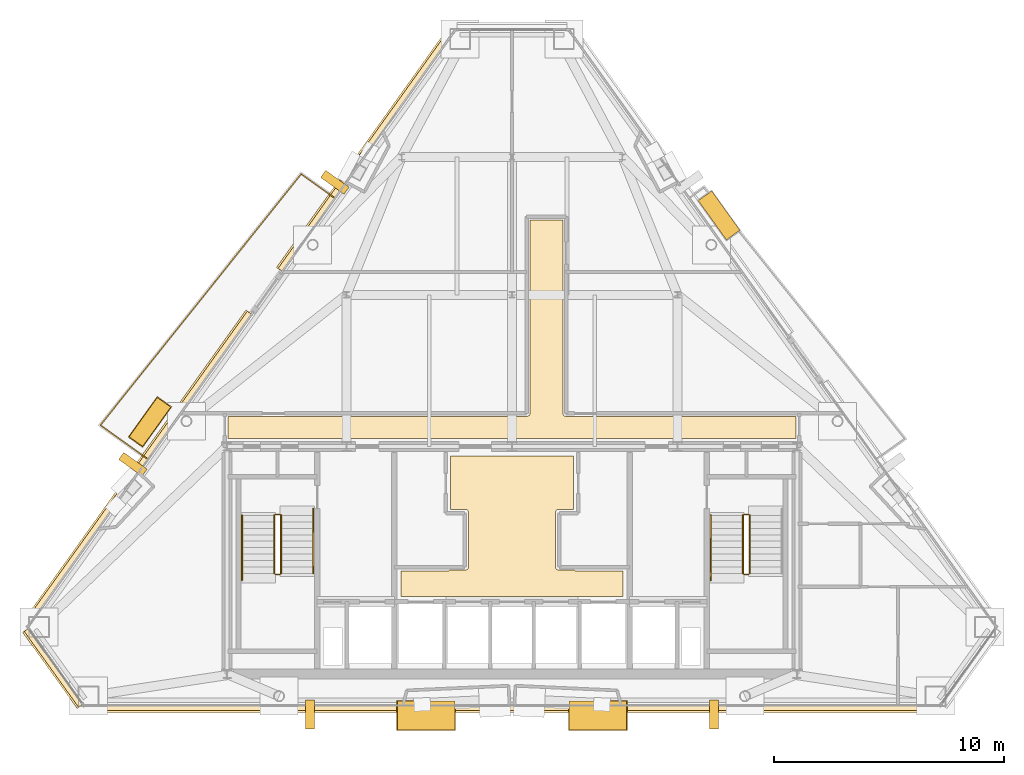
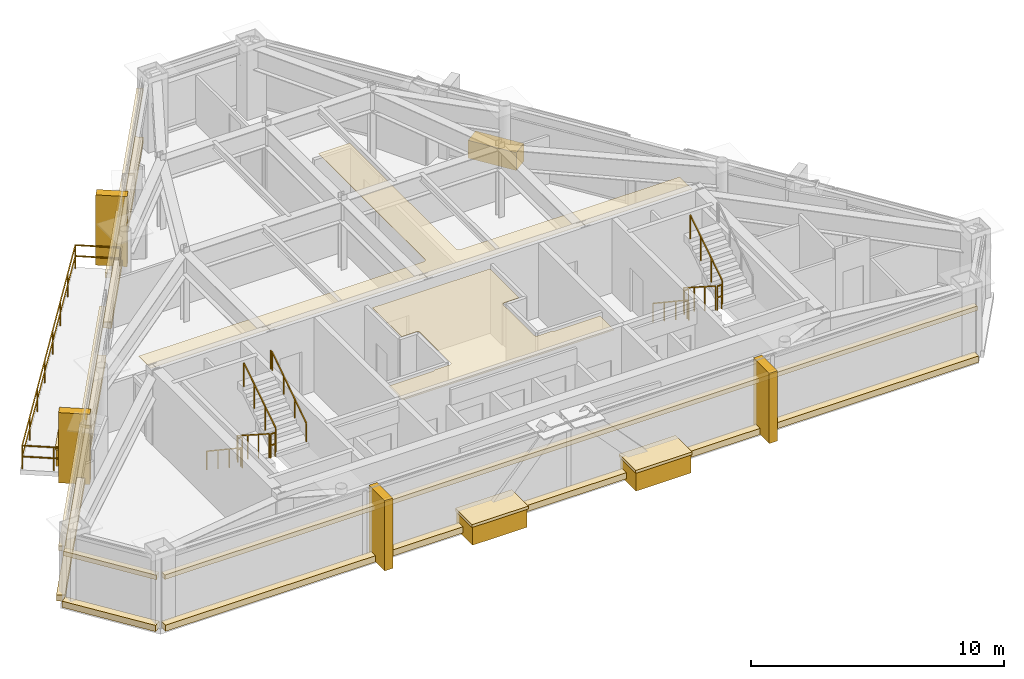
# One storey, part 11 of 12: 21 coverings, 12 railings.
"""IFC4 building model written with IfcOpenShell, lengths in metres."""

from ifc_helpers import new_model, si_unit, direction, frame, origin, origin_2d, place, context, subcontext, project, spatial, polyline, rectangle, outline, extrude, material, layer, layer_set, type_object, element, save


model = new_model("IFC4")

# Units and contexts
model_context = context("Model", 3, precision=1e-05, world=origin(), true_north=direction((0.0, 1.0)))
body_context = subcontext(model_context, "Body", "Model", "MODEL_VIEW")
ifc_project = project(units=[si_unit("LENGTHUNIT", "METRE"), si_unit("AREAUNIT", "SQUARE_METRE"), si_unit("VOLUMEUNIT", "CUBIC_METRE"), si_unit("PLANEANGLEUNIT", "RADIAN"), si_unit("MASSUNIT", "GRAM", prefix="KILO")], contexts=[model_context])

# Site, building, storey
site_placement = place(None, origin())
site = spatial("IfcSite", under=ifc_project, at=site_placement, CompositionType="ELEMENT")
building_placement = place(site_placement, origin())
building = spatial("IfcBuilding", under=site, at=building_placement, Name="Talgorran Terracotta Tower", CompositionType="ELEMENT")
storey_placement = place(building_placement, frame((0.0, 0.0, 259.800048828125)))
storey = spatial("IfcBuildingStorey", under=building, at=storey_placement, Name="L68", CompositionType="ELEMENT", Elevation=259.800048828125)

# Coverings
ifc_material_1 = material(Name="Kiln-Fired Terracotta Ochre Ceramic", Category="masonry")
ifc_layer_1 = layer(ifc_material_1, 0.179931640625, Name="COV_BAGUETTE_TERRACOTTA_SCREEN")
ifc_layer_set_1 = layer_set([ifc_layer_1], Name="Kiln-Fired Terracotta Ochre Ceramic")
covering_type_1 = type_object("IfcCoveringType", Name="COV_BAGUETTE_TERRACOTTA_SCREEN", PredefinedType="CLADDING", material=ifc_layer_set_1)
covering_1_placement = place(storey_placement, frame((-19.938720703125, -13.818115234375, 2.41015625), z_axis=(0.0, 0.0, 1.0), x_axis=(0.582222304811, -0.813029635242, 0.0)))
element("IfcCovering", 1, at=covering_1_placement, inside=storey, type_object=covering_type_1, Name="L68 Terracotta Baguette Solar Screen Assembly F0", PredefinedType="CLADDING", context=body_context, shape_type="SweptSolid", body=[
    extrude(rectangle(XDim=4.050048828125, YDim=0.260009765625, at=origin_2d()), origin(), (0.0, 0.0, 1.0), 0.219970703125),
])
covering_2_placement = place(storey_placement, frame((0.0, -15.563232421875, 2.41015625), z_axis=(0.0, 0.0, 1.0), x_axis=(1.0, 0.0, 0.0)))
element("IfcCovering", 2, at=covering_2_placement, inside=storey, type_object=covering_type_1, Name="L68 Terracotta Baguette Solar Screen Assembly F1", PredefinedType="CLADDING", context=body_context, shape_type="SweptSolid", body=[
    extrude(rectangle(XDim=37.13525390625, YDim=0.260009765625, at=origin_2d()), origin(), (0.0, 0.0, 1.0), 0.219970703125),
])
covering_3_placement = place(storey_placement, frame((-6.341552734375, 8.693115234375, 2.41015625), z_axis=(0.0, 0.0, 1.0), x_axis=(-0.582208114678, -0.813039796814, 0.0)))
element("IfcCovering", 3, at=covering_3_placement, inside=storey, type_object=covering_type_1, Name="L68 Terracotta Baguette Solar Screen Assembly F60", PredefinedType="CLADDING", context=body_context, shape_type="SweptSolid", body=[
    extrude(rectangle(XDim=12.822021484375, YDim=0.260009765625, at=origin_2d()), origin(), (0.0, 0.0, 1.0), 0.219970703125),
])
covering_4_placement = place(storey_placement, frame((-16.253662109375, -5.149169921875, 2.41015625), z_axis=(0.0, 0.0, 1.0), x_axis=(-0.582208114678, -0.813039796814, 0.0)))
element("IfcCovering", 4, at=covering_4_placement, inside=storey, type_object=covering_type_1, Name="L68 Terracotta Baguette Solar Screen Assembly F61", PredefinedType="CLADDING", context=body_context, shape_type="SweptSolid", body=[
    extrude(rectangle(XDim=16.628662109375, YDim=0.260009765625, at=origin_2d()), origin(), (0.0, 0.0, 1.0), 0.219970703125),
])
ifc_material_2 = material(Name="Mineral Fibre Acoustic Tile")
ifc_layer_2 = layer(ifc_material_2, 0.02490234375, Name="COV_CEIL_ACOUSTIC")
ifc_layer_set_2 = layer_set([ifc_layer_2], Name="Mineral Fibre Acoustic Tile")
covering_type_2 = type_object("IfcCoveringType", Name="COV_CEIL_ACOUSTIC", PredefinedType="CEILING", material=ifc_layer_set_2)
covering_5_placement = place(storey_placement, frame((0.0, 0.0, 3.2548828125)))
element("IfcCovering", 5, at=covering_5_placement, inside=storey, type_object=covering_type_2, Name="CEIL-L68-2", PredefinedType="CEILING", context=body_context, shape_type="SweptSolid", body=[
    extrude(outline(polyline([(-12.364990234375, -2.885009765625), (0.64990234375, -2.885009765625), (0.66162109375, -2.884521484375), (0.67333984375, -2.8828125), (0.6845703125, -2.8798828125), (0.69287109375, -2.87744140625), (0.7041015625, -2.87353515625), (0.714599609375, -2.868408203125), (0.724853515625, -2.8623046875), (0.734375, -2.85546875), (0.742919921875, -2.847412109375), (0.7509765625, -2.8388671875), (0.756591796875, -2.83203125), (0.763671875, -2.822509765625), (0.769775390625, -2.8125), (0.774658203125, -2.8017578125), (0.77880859375, -2.79052734375), (0.781494140625, -2.779296875), (0.783203125, -2.767578125), (0.783935546875, -2.755615234375), (0.784912109375, 5.6650390625), (2.215087890625, 5.6650390625), (2.215087890625, -2.75), (2.215576171875, -2.76171875), (2.21728515625, -2.773193359375), (2.22021484375, -2.78466796875), (2.22265625, -2.79296875), (2.2265625, -2.803955078125), (2.231689453125, -2.814697265625), (2.237548828125, -2.82470703125), (2.24462890625, -2.834228515625), (2.25244140625, -2.843017578125), (2.26123046875, -2.850830078125), (2.26806640625, -2.8564453125), (2.277587890625, -2.863525390625), (2.28759765625, -2.86962890625), (2.29833984375, -2.874755859375), (2.309326171875, -2.878662109375), (2.32080078125, -2.881591796875), (2.33251953125, -2.88330078125), (2.34423828125, -2.8837890625), (12.364990234375, -2.885009765625), (12.364990234375, -3.844970703125), (7.432861328125, -3.844970703125), (6.968017578125, -3.843017578125), (6.967529296875, -3.843017578125), (0.232666015625, -3.844970703125), (-0.23193359375, -3.843017578125), (-0.232421875, -3.843017578125), (-6.96728515625, -3.844970703125), (-7.431884765625, -3.843017578125), (-7.4326171875, -3.843017578125), (-12.364990234375, -3.844970703125), (-12.364990234375, -2.885009765625)])), origin(), (0.0, 0.0, 1.0), 0.02001953125),
])
ifc_material_3 = material(Name="Flush Moisture-Resistant Plaster")
ifc_layer_3 = layer(ifc_material_3, 0.01806640625, Name="COV_CEIL_PLASTER")
ifc_layer_set_3 = layer_set([ifc_layer_3], Name="Flush Moisture-Resistant Plaster")
covering_type_3 = type_object("IfcCoveringType", Name="COV_CEIL_PLASTER", PredefinedType="CEILING", material=ifc_layer_set_3)
covering_6_placement = place(storey_placement, frame((0.0, 0.0, 3.2548828125)))
element("IfcCovering", 6, at=covering_6_placement, inside=storey, type_object=covering_type_3, Name="CEIL-L68-1", PredefinedType="CEILING", context=body_context, shape_type="SweptSolid", body=[
    extrude(outline(polyline([(-2.70263671875, -9.570068359375), (-2.02001953125, -9.570068359375), (-2.00830078125, -9.5693359375), (-1.99658203125, -9.567626953125), (-1.985107421875, -9.564697265625), (-1.97412109375, -9.560791015625), (-1.96337890625, -9.555908203125), (-1.953369140625, -9.5498046875), (-1.94384765625, -9.542724609375), (-1.93505859375, -9.534912109375), (-1.92724609375, -9.526123046875), (-1.920166015625, -9.5166015625), (-1.914306640625, -9.506591796875), (-1.9091796875, -9.495849609375), (-1.9052734375, -9.48486328125), (-1.90234375, -9.473388671875), (-1.900634765625, -9.4619140625), (-1.89990234375, -9.449951171875), (-1.89990234375, -7.050048828125), (-1.900634765625, -7.0380859375), (-1.90234375, -7.026611328125), (-1.9052734375, -7.01513671875), (-1.9091796875, -7.004150390625), (-1.914306640625, -6.993408203125), (-1.920166015625, -6.9833984375), (-1.92724609375, -6.973876953125), (-1.93505859375, -6.965087890625), (-1.94384765625, -6.957275390625), (-1.953369140625, -6.9501953125), (-1.96337890625, -6.944091796875), (-1.97412109375, -6.939208984375), (-1.985107421875, -6.935302734375), (-1.99658203125, -6.932373046875), (-2.00830078125, -6.9306640625), (-2.02001953125, -6.929931640625), (-2.679931640625, -6.929931640625), (-2.679931640625, -4.6201171875), (2.679931640625, -4.6201171875), (2.679931640625, -6.929931640625), (2.02001953125, -6.929931640625), (2.00830078125, -6.9306640625), (1.99658203125, -6.932373046875), (1.985107421875, -6.935302734375), (1.97412109375, -6.939208984375), (1.96337890625, -6.944091796875), (1.953369140625, -6.9501953125), (1.94384765625, -6.957275390625), (1.93505859375, -6.965087890625), (1.92724609375, -6.973876953125), (1.920166015625, -6.9833984375), (1.914306640625, -6.993408203125), (1.9091796875, -7.004150390625), (1.9052734375, -7.01513671875), (1.90234375, -7.026611328125), (1.900634765625, -7.0380859375), (1.89990234375, -7.050048828125), (1.89990234375, -9.449951171875), (1.900634765625, -9.4619140625), (1.90234375, -9.473388671875), (1.9052734375, -9.48486328125), (1.9091796875, -9.495849609375), (1.914306640625, -9.506591796875), (1.920166015625, -9.5166015625), (1.92724609375, -9.526123046875), (1.93505859375, -9.534912109375), (1.94384765625, -9.542724609375), (1.953369140625, -9.5498046875), (1.96337890625, -9.555908203125), (1.97412109375, -9.560791015625), (1.985107421875, -9.564697265625), (1.99658203125, -9.567626953125), (2.00830078125, -9.5693359375), (2.02001953125, -9.570068359375), (2.70263671875, -9.570068359375), (2.707275390625, -9.576171875), (2.715087890625, -9.5849609375), (2.723876953125, -9.5927734375), (2.7333984375, -9.599853515625), (2.743408203125, -9.605712890625), (2.754150390625, -9.61083984375), (2.76513671875, -9.61474609375), (2.776611328125, -9.61767578125), (2.7880859375, -9.619384765625), (2.800048828125, -9.6201171875), (4.830078125, -9.6201171875), (4.830078125, -10.72998046875), (-4.830078125, -10.72998046875), (-4.830078125, -9.6201171875), (-2.800048828125, -9.6201171875), (-2.7880859375, -9.619384765625), (-2.776611328125, -9.61767578125), (-2.76513671875, -9.61474609375), (-2.754150390625, -9.61083984375), (-2.743408203125, -9.605712890625), (-2.7333984375, -9.599853515625), (-2.723876953125, -9.5927734375), (-2.715087890625, -9.5849609375), (-2.707275390625, -9.576171875), (-2.70263671875, -9.570068359375)])), origin(), (0.0, 0.0, 1.0), 0.02001953125),
])
ifc_material_4 = material(Name="Honed Limestone and Terracotta Planter", Category="masonry")
ifc_layer_4 = layer(ifc_material_4, 0.1201171875, Name="COV_PLANTER_BOX")
ifc_layer_set_4 = layer_set([ifc_layer_4], Name="Honed Limestone and Terracotta Planter")
covering_type_4 = type_object("IfcCoveringType", Name="COV_PLANTER_BOX", PredefinedType="CLADDING", material=ifc_layer_set_4)
for number, where, z_axis, x_axis, name in (
    (7, (-3.739990234375, -15.9033203125, -0.179931640625), (0.0, 0.0, 1.0), (1.0, 0.0, 0.0), "L68 Staggered South Facade Planter Box 1"),
    (8, (3.739990234375, -15.9033203125, -0.179931640625), (0.0, 0.0, 1.0), (1.0, 0.0, 0.0), "L68 Staggered South Facade Planter Box 2"),
):
    element("IfcCovering", number, at=place(storey_placement, frame(where, z_axis=z_axis, x_axis=x_axis)), inside=storey, type_object=covering_type_4, Name=name, PredefinedType="CLADDING", context=body_context, shape_type="SweptSolid", body=[
        extrude(rectangle(XDim=2.5, YDim=1.25, at=origin_2d()), origin(), (0.0, 0.0, 1.0), 0.919921875),
    ])
for number, where, z_axis, x_axis, name in (
    (9, (9.010986328125, 5.856689453125, -0.02001953125), (0.0, 0.0, 1.0), (-0.582208114678, 0.813039796814, 0.0), "L68 Staggered Balcony Planter Box BAL-NE"),
    (10, (-15.75439453125, -3.12939453125, -0.02001953125), (0.0, 0.0, 1.0), (-0.582208114678, -0.813039796814, 0.0), "L68 Staggered Balcony Planter Box BAL-NW"),
):
    element("IfcCovering", number, at=place(storey_placement, frame(where, z_axis=z_axis, x_axis=x_axis)), inside=storey, type_object=covering_type_4, Name=name, PredefinedType="CLADDING", context=body_context, shape_type="SweptSolid", body=[
        extrude(rectangle(XDim=2.10009765625, YDim=0.719970703125, at=origin_2d()), origin(), (0.0, 0.0, 1.0), 0.860107421875),
    ])
ifc_material_5 = material(Name="Kiln-Fired Terracotta Planter Rim", Category="masonry")
ifc_layer_5 = layer(ifc_material_5, 0.10009765625, Name="COV_PLANTER_RIM")
ifc_layer_set_5 = layer_set([ifc_layer_5], Name="Kiln-Fired Terracotta Planter Rim")
covering_type_5 = type_object("IfcCoveringType", Name="COV_PLANTER_RIM", PredefinedType="CLADDING", material=ifc_layer_set_5)
for number, where, z_axis, x_axis, name in (
    (11, (-3.739990234375, -15.9033203125, 0.7099609375), (0.0, 0.0, 1.0), (1.0, 0.0, 0.0), "L68 South Planter Terracotta Rim 1"),
    (12, (3.739990234375, -15.9033203125, 0.7099609375), (0.0, 0.0, 1.0), (1.0, 0.0, 0.0), "L68 South Planter Terracotta Rim 2"),
):
    element("IfcCovering", number, at=place(storey_placement, frame(where, z_axis=z_axis, x_axis=x_axis)), inside=storey, type_object=covering_type_5, Name=name, PredefinedType="CLADDING", context=body_context, shape_type="SweptSolid", body=[
        extrude(rectangle(XDim=2.580078125, YDim=1.320068359375, at=origin_2d()), origin(), (0.0, 0.0, 1.0), 0.139892578125),
    ])
covering_7_placement = place(storey_placement, frame((-15.75439453125, -3.12939453125, 0.7998046875), z_axis=(0.0, 0.0, 1.0), x_axis=(-0.582208114678, -0.813039796814, 0.0)))
element("IfcCovering", 13, at=covering_7_placement, inside=storey, type_object=covering_type_5, Name="L68 Balcony Planter Terracotta Rim BAL-NW", PredefinedType="CLADDING", context=body_context, shape_type="SweptSolid", body=[
    extrude(rectangle(XDim=2.179931640625, YDim=0.780029296875, at=origin_2d()), origin(), (0.0, 0.0, 1.0), 0.1201171875),
])
ifc_material_6 = material(Name="Honed Limestone Cladding", Category="masonry")
ifc_layer_6 = layer(ifc_material_6, 0.094970703125, Name="COV_PORTAL_LIME")
ifc_layer_set_6 = layer_set([ifc_layer_6], Name="Honed Limestone Cladding")
covering_type_6 = type_object("IfcCoveringType", Name="COV_PORTAL_LIME", PredefinedType="CLADDING", material=ifc_layer_set_6)
covering_8_placement = place(storey_placement, frame((-19.97119140625, -13.841552734375, -0.0400390625), z_axis=(0.0, 0.0, 1.0), x_axis=(0.582222304811, -0.813029635242, 0.0)))
element("IfcCovering", 14, at=covering_8_placement, inside=storey, type_object=covering_type_6, Name="L68 Striped Postmodern Portal Cladding Band F0", PredefinedType="CLADDING", context=body_context, shape_type="SweptSolid", body=[
    extrude(rectangle(XDim=4.070068359375, YDim=0.340087890625, at=origin_2d()), origin(), (0.0, 0.0, 1.0), 0.300048828125),
])
covering_9_placement = place(storey_placement, frame((0.0, -15.603271484375, -0.0400390625), z_axis=(0.0, 0.0, 1.0), x_axis=(1.0, 0.0, 0.0)))
element("IfcCovering", 15, at=covering_9_placement, inside=storey, type_object=covering_type_6, Name="L68 Striped Postmodern Portal Cladding Band F1", PredefinedType="CLADDING", context=body_context, shape_type="SweptSolid", body=[
    extrude(rectangle(XDim=37.1552734375, YDim=0.340087890625, at=origin_2d()), origin(), (0.0, 0.0, 1.0), 0.300048828125),
])
covering_10_placement = place(storey_placement, frame((-6.3740234375, 8.71630859375, -0.0400390625), z_axis=(0.0, 0.0, 1.0), x_axis=(-0.582208114678, -0.813039796814, 0.0)))
element("IfcCovering", 16, at=covering_10_placement, inside=storey, type_object=covering_type_6, Name="L68 Striped Postmodern Portal Cladding Band F60", PredefinedType="CLADDING", context=body_context, shape_type="SweptSolid", body=[
    extrude(rectangle(XDim=12.842041015625, YDim=0.340087890625, at=origin_2d()), origin(), (0.0, 0.0, 1.0), 0.300048828125),
])
covering_11_placement = place(storey_placement, frame((-16.2861328125, -5.1259765625, -0.0400390625), z_axis=(0.0, 0.0, 1.0), x_axis=(-0.582208114678, -0.813039796814, 0.0)))
element("IfcCovering", 17, at=covering_11_placement, inside=storey, type_object=covering_type_6, Name="L68 Striped Postmodern Portal Cladding Band F61", PredefinedType="CLADDING", context=body_context, shape_type="SweptSolid", body=[
    extrude(rectangle(XDim=16.648681640625, YDim=0.340087890625, at=origin_2d()), origin(), (0.0, 0.0, 1.0), 0.300048828125),
])
for number, where, z_axis, x_axis, name in (
    (18, (8.788818359375, -15.86328125, -0.050048828125), (0.0, 0.0, 1.0), (1.0, 0.0, 0.0), "L68 White Striped Portal Fin F1-2"),
    (19, (-16.4970703125, -4.9736328125, -0.050048828125), (0.0, 0.0, 1.0), (-0.582208114678, -0.813039796814, 0.0), "L68 White Striped Portal Fin F5-2"),
):
    element("IfcCovering", number, at=place(storey_placement, frame(where, z_axis=z_axis, x_axis=x_axis)), inside=storey, type_object=covering_type_6, Name=name, PredefinedType="CLADDING", context=body_context, shape_type="SweptSolid", body=[
        extrude(rectangle(XDim=0.3798828125, YDim=1.25, at=origin_2d()), origin(), (0.0, 0.0, 1.0), 3.39501953125),
    ])
ifc_material_7 = material(Name="Kiln-Fired Terracotta Cladding", Category="masonry")
ifc_layer_7 = layer(ifc_material_7, 0.090087890625, Name="COV_PORTAL_TERRA")
ifc_layer_set_7 = layer_set([ifc_layer_7], Name="Kiln-Fired Terracotta Cladding")
covering_type_7 = type_object("IfcCoveringType", Name="COV_PORTAL_TERRA", PredefinedType="CLADDING", material=ifc_layer_set_7)
for number, where, z_axis, x_axis, name in (
    (20, (-8.788818359375, -15.86328125, -0.050048828125), (0.0, 0.0, 1.0), (1.0, 0.0, 0.0), "L68 Terracotta Striped Portal Fin F1-1"),
    (21, (-7.708251953125, 7.2998046875, -0.050048828125), (0.0, 0.0, 1.0), (-0.582208114678, -0.813039796814, 0.0), "L68 Terracotta Striped Portal Fin F5-1"),
):
    element("IfcCovering", number, at=place(storey_placement, frame(where, z_axis=z_axis, x_axis=x_axis)), inside=storey, type_object=covering_type_7, Name=name, PredefinedType="CLADDING", context=body_context, shape_type="SweptSolid", body=[
        extrude(rectangle(XDim=0.3798828125, YDim=1.25, at=origin_2d()), origin(), (0.0, 0.0, 1.0), 3.39501953125),
    ])

# Railings
ifc_material_8 = material(Name="Laminated Glass and Stainless Steel 316", Category="steel")
railing_type_1 = type_object("IfcRailingType", Name="RL_BALCONY_1150", PredefinedType="BALUSTRADE", material=ifc_material_8)
railing_1_placement = place(storey_placement, frame((-7.726318359375, 6.62158203125, 0.0)))
element("IfcRailing", 22, at=railing_1_placement, inside=storey, type_object=railing_type_1, Name="RL-L68-BAL-BAL-NW", PredefinedType="BALUSTRADE", context=body_context, shape_type="SweptSolid", body=[
    extrude(rectangle(XDim=0.048095703125, YDim=0.048095703125, at=origin_2d()), frame((0.0, 0.0, 1.1259765625), z_axis=(-0.813047483489, 0.582197380269, 0.0), x_axis=(-0.582197380269, -0.813047483489, 0.0)), (0.0, 0.0, 1.0), 1.781005859375),
    extrude(rectangle(XDim=0.048095703125, YDim=0.048095703125, at=origin_2d()), frame((0.0, 0.0, 0.597900390625), z_axis=(-0.813047483489, 0.582197380269, 0.0), x_axis=(-0.582197380269, -0.813047483489, 0.0)), (0.0, 0.0, 1.0), 1.781005859375),
    extrude(rectangle(XDim=0.048095703125, YDim=0.048095703125, at=origin_2d()), frame((-1.447998046875, 1.036865234375, 1.1259765625), z_axis=(-0.624416247646, -0.781091767769, 0.0), x_axis=(0.781091767769, -0.624416247646, 0.0)), (0.0, 0.0, 1.0), 13.99169921875),
    extrude(rectangle(XDim=0.048095703125, YDim=0.048095703125, at=origin_2d()), frame((-1.447998046875, 1.036865234375, 0.597900390625), z_axis=(-0.624416247646, -0.781091767769, 0.0), x_axis=(0.781091767769, -0.624416247646, 0.0)), (0.0, 0.0, 1.0), 13.99169921875),
    extrude(rectangle(XDim=0.048095703125, YDim=0.048095703125, at=origin_2d()), frame((-10.1845703125, -9.891845703125, 1.1259765625), z_axis=(0.813052429804, -0.582190472604, 0.0), x_axis=(0.582190472604, 0.813052429804, 0.0)), (0.0, 0.0, 1.0), 2.521240234375),
    extrude(rectangle(XDim=0.048095703125, YDim=0.048095703125, at=origin_2d()), frame((-10.1845703125, -9.891845703125, 0.597900390625), z_axis=(0.813052429804, -0.582190472604, 0.0), x_axis=(0.582190472604, 0.813052429804, 0.0)), (0.0, 0.0, 1.0), 2.521240234375),
    extrude(rectangle(XDim=0.0419921875, YDim=0.0419921875, at=origin_2d()), origin(), (0.0, 0.0, 1.0), 1.101806640625),
    extrude(rectangle(XDim=0.0419921875, YDim=0.0419921875, at=origin_2d()), frame((-1.447998046875, 1.036865234375, 0.0)), (0.0, 0.0, 1.0), 1.101806640625),
    extrude(rectangle(XDim=0.0419921875, YDim=0.0419921875, at=origin_2d()), frame((-2.696044921875, -0.5244140625, 0.0)), (0.0, 0.0, 1.0), 1.101806640625),
    extrude(rectangle(XDim=0.0419921875, YDim=0.0419921875, at=origin_2d()), frame((-3.944091796875, -2.085693359375, 0.0)), (0.0, 0.0, 1.0), 1.101806640625),
    extrude(rectangle(XDim=0.0419921875, YDim=0.0419921875, at=origin_2d()), frame((-5.192138671875, -3.64697265625, 0.0)), (0.0, 0.0, 1.0), 1.101806640625),
    extrude(rectangle(XDim=0.0419921875, YDim=0.0419921875, at=origin_2d()), frame((-6.4404296875, -5.2080078125, 0.0)), (0.0, 0.0, 1.0), 1.101806640625),
    extrude(rectangle(XDim=0.0419921875, YDim=0.0419921875, at=origin_2d()), frame((-7.6884765625, -6.769287109375, 0.0)), (0.0, 0.0, 1.0), 1.101806640625),
    extrude(rectangle(XDim=0.0419921875, YDim=0.0419921875, at=origin_2d()), frame((-8.9365234375, -8.33056640625, 0.0)), (0.0, 0.0, 1.0), 1.101806640625),
    extrude(rectangle(XDim=0.0419921875, YDim=0.0419921875, at=origin_2d()), frame((-10.1845703125, -9.891845703125, 0.0)), (0.0, 0.0, 1.0), 1.101806640625),
    extrude(rectangle(XDim=0.0419921875, YDim=0.0419921875, at=origin_2d()), frame((-9.15966796875, -10.625732421875, 0.0)), (0.0, 0.0, 1.0), 1.101806640625),
    extrude(rectangle(XDim=0.0419921875, YDim=0.0419921875, at=origin_2d()), frame((-8.134765625, -11.359619140625, 0.0)), (0.0, 0.0, 1.0), 1.101806640625),
])
ifc_material_9 = material(Name="Steel S355 (300PLUS)", Category="steel")
railing_type_2 = type_object("IfcRailingType", Name="RL_HANDRAIL_920", PredefinedType="HANDRAIL", material=ifc_material_9)
railing_2_placement = place(storey_placement, frame((-11.75, -7.199951171875, 0.179931640625)))
element("IfcRailing", 23, at=railing_2_placement, inside=storey, type_object=railing_type_2, Name="L68 ST-01 stair handrail 1", PredefinedType="HANDRAIL", context=body_context, shape_type="SweptSolid", body=[
    extrude(rectangle(XDim=0.048095703125, YDim=0.048095703125, at=origin_2d()), frame((0.0, 0.0, 0.89599609375), z_axis=(0.0, -0.832038719335, 0.554717558338), x_axis=(1.0, 0.0, 0.0)), (0.0, 0.0, 1.0), 3.244873046875),
    extrude(rectangle(XDim=0.048095703125, YDim=0.048095703125, at=origin_2d()), frame((0.0, -2.699951171875, 2.69580078125), z_axis=(0.0, -1.0, 0.0), x_axis=(1.0, 0.0, 0.0)), (0.0, 0.0, 1.0), 0.1201171875),
    extrude(rectangle(XDim=0.0419921875, YDim=0.0419921875, at=origin_2d()), origin(), (0.0, 0.0, 1.0), 0.871826171875),
    extrude(rectangle(XDim=0.0419921875, YDim=0.0419921875, at=origin_2d()), frame((0.0, -0.89990234375, 0.60009765625)), (0.0, 0.0, 1.0), 0.871826171875),
    extrude(rectangle(XDim=0.0419921875, YDim=0.0419921875, at=origin_2d()), frame((0.0, -1.800048828125, 1.199951171875)), (0.0, 0.0, 1.0), 0.871826171875),
    extrude(rectangle(XDim=0.0419921875, YDim=0.0419921875, at=origin_2d()), frame((0.0, -2.699951171875, 1.800048828125)), (0.0, 0.0, 1.0), 0.871826171875),
    extrude(rectangle(XDim=0.0419921875, YDim=0.0419921875, at=origin_2d()), frame((0.0, -2.820068359375, 1.800048828125)), (0.0, 0.0, 1.0), 0.871826171875),
])
railing_3_placement = place(storey_placement, frame((-8.64990234375, -9.719970703125, 1.97998046875)))
element("IfcRailing", 24, at=railing_3_placement, inside=storey, type_object=railing_type_2, Name="L68 ST-01 stair handrail 2", PredefinedType="HANDRAIL", context=body_context, shape_type="SweptSolid", body=[
    extrude(rectangle(XDim=0.048095703125, YDim=0.048095703125, at=origin_2d()), frame((0.0, 0.0, 0.89599609375), z_axis=(0.0, 0.832038719335, 0.554717558338), x_axis=(-1.0, 0.0, 0.0)), (0.0, 0.0, 1.0), 3.244873046875),
    extrude(rectangle(XDim=0.048095703125, YDim=0.048095703125, at=origin_2d()), frame((0.0, 2.699951171875, 2.69580078125), z_axis=(0.0, 1.0, 0.0), x_axis=(-1.0, 0.0, 0.0)), (0.0, 0.0, 1.0), 0.1201171875),
    extrude(rectangle(XDim=0.0419921875, YDim=0.0419921875, at=origin_2d()), origin(), (0.0, 0.0, 1.0), 0.871826171875),
    extrude(rectangle(XDim=0.0419921875, YDim=0.0419921875, at=origin_2d()), frame((0.0, 0.89990234375, 0.60009765625)), (0.0, 0.0, 1.0), 0.871826171875),
    extrude(rectangle(XDim=0.0419921875, YDim=0.0419921875, at=origin_2d()), frame((0.0, 1.800048828125, 1.199951171875)), (0.0, 0.0, 1.0), 0.871826171875),
    extrude(rectangle(XDim=0.0419921875, YDim=0.0419921875, at=origin_2d()), frame((0.0, 2.699951171875, 1.800048828125)), (0.0, 0.0, 1.0), 0.871826171875),
    extrude(rectangle(XDim=0.0419921875, YDim=0.0419921875, at=origin_2d()), frame((0.0, 2.820068359375, 1.800048828125)), (0.0, 0.0, 1.0), 0.871826171875),
])
railing_4_placement = place(storey_placement, frame((8.64990234375, -7.199951171875, 0.179931640625)))
element("IfcRailing", 25, at=railing_4_placement, inside=storey, type_object=railing_type_2, Name="L68 ST-02 stair handrail 1", PredefinedType="HANDRAIL", context=body_context, shape_type="SweptSolid", body=[
    extrude(rectangle(XDim=0.048095703125, YDim=0.048095703125, at=origin_2d()), frame((0.0, 0.0, 0.89599609375), z_axis=(0.0, -0.832038719335, 0.554717558338), x_axis=(1.0, 0.0, 0.0)), (0.0, 0.0, 1.0), 3.244873046875),
    extrude(rectangle(XDim=0.048095703125, YDim=0.048095703125, at=origin_2d()), frame((0.0, -2.699951171875, 2.69580078125), z_axis=(0.0, -1.0, 0.0), x_axis=(1.0, 0.0, 0.0)), (0.0, 0.0, 1.0), 0.1201171875),
    extrude(rectangle(XDim=0.0419921875, YDim=0.0419921875, at=origin_2d()), origin(), (0.0, 0.0, 1.0), 0.871826171875),
    extrude(rectangle(XDim=0.0419921875, YDim=0.0419921875, at=origin_2d()), frame((0.0, -0.89990234375, 0.60009765625)), (0.0, 0.0, 1.0), 0.871826171875),
    extrude(rectangle(XDim=0.0419921875, YDim=0.0419921875, at=origin_2d()), frame((0.0, -1.800048828125, 1.199951171875)), (0.0, 0.0, 1.0), 0.871826171875),
    extrude(rectangle(XDim=0.0419921875, YDim=0.0419921875, at=origin_2d()), frame((0.0, -2.699951171875, 1.800048828125)), (0.0, 0.0, 1.0), 0.871826171875),
    extrude(rectangle(XDim=0.0419921875, YDim=0.0419921875, at=origin_2d()), frame((0.0, -2.820068359375, 1.800048828125)), (0.0, 0.0, 1.0), 0.871826171875),
])
railing_type_3 = type_object("IfcRailingType", Name="RL_STAIR_GUARD", PredefinedType="GUARDRAIL", material=ifc_material_9)
railing_5_placement = place(storey_placement, frame((-10.35009765625, -7.199951171875, 0.179931640625)))
element("IfcRailing", 26, at=railing_5_placement, inside=storey, type_object=railing_type_3, Name="L68 ST-01 stair guard 1", PredefinedType="GUARDRAIL", context=body_context, shape_type="SweptSolid", body=[
    extrude(rectangle(XDim=0.048095703125, YDim=0.048095703125, at=origin_2d()), frame((0.0, 0.0, 1.15576171875), z_axis=(0.0, -0.841162588446, 0.540782303519), x_axis=(1.0, 0.0, 0.0)), (0.0, 0.0, 1.0), 2.995849609375),
    extrude(rectangle(XDim=0.0419921875, YDim=0.0419921875, at=origin_2d()), origin(), (0.0, 0.0, 1.0), 1.1318359375),
    extrude(rectangle(XDim=0.0419921875, YDim=0.0419921875, at=origin_2d()), frame((0.0, -0.840087890625, 0.5400390625)), (0.0, 0.0, 1.0), 1.1318359375),
    extrude(rectangle(XDim=0.0419921875, YDim=0.0419921875, at=origin_2d()), frame((0.0, -1.679931640625, 1.080078125)), (0.0, 0.0, 1.0), 1.1318359375),
    extrude(rectangle(XDim=0.0419921875, YDim=0.0419921875, at=origin_2d()), frame((0.0, -2.52001953125, 1.6201171875)), (0.0, 0.0, 1.0), 1.1318359375),
])
railing_6_placement = place(storey_placement, frame((-10.300048828125, -9.77001953125, 1.800048828125)))
element("IfcRailing", 27, at=railing_6_placement, inside=storey, type_object=railing_type_3, Name="L68 ST-01 stair guard 2", PredefinedType="GUARDRAIL", context=body_context, shape_type="SweptSolid", body=[
    extrude(rectangle(XDim=0.048095703125, YDim=0.048095703125, at=origin_2d()), frame((0.0, 0.0, 1.15576171875), z_axis=(1.0, 0.0, 0.0), x_axis=(0.0, 1.0, 0.0)), (0.0, 0.0, 1.0), 0.199951171875),
    extrude(rectangle(XDim=0.048095703125, YDim=0.048095703125, at=origin_2d()), frame((0.0, 0.0, 0.613525390625), z_axis=(1.0, 0.0, 0.0), x_axis=(0.0, 1.0, 0.0)), (0.0, 0.0, 1.0), 0.199951171875),
    extrude(rectangle(XDim=0.0419921875, YDim=0.0419921875, at=origin_2d()), origin(), (0.0, 0.0, 1.0), 1.1318359375),
    extrude(rectangle(XDim=0.0419921875, YDim=0.0419921875, at=origin_2d()), frame((0.199951171875, 0.0, 0.0)), (0.0, 0.0, 1.0), 1.1318359375),
])
railing_7_placement = place(storey_placement, frame((-10.050048828125, -9.719970703125, 1.97998046875)))
element("IfcRailing", 28, at=railing_7_placement, inside=storey, type_object=railing_type_3, Name="L68 ST-01 stair guard 3", PredefinedType="GUARDRAIL", context=body_context, shape_type="SweptSolid", body=[
    extrude(rectangle(XDim=0.048095703125, YDim=0.048095703125, at=origin_2d()), frame((0.0, 0.0, 1.15576171875), z_axis=(0.0, 0.841199657755, 0.540724639528), x_axis=(-1.0, 0.0, 0.0)), (0.0, 0.0, 1.0), 2.995849609375),
    extrude(rectangle(XDim=0.0419921875, YDim=0.0419921875, at=origin_2d()), origin(), (0.0, 0.0, 1.0), 1.1318359375),
    extrude(rectangle(XDim=0.0419921875, YDim=0.0419921875, at=origin_2d()), frame((0.0, 0.840087890625, 0.5400390625)), (0.0, 0.0, 1.0), 1.1318359375),
    extrude(rectangle(XDim=0.0419921875, YDim=0.0419921875, at=origin_2d()), frame((0.0, 1.679931640625, 1.079833984375)), (0.0, 0.0, 1.0), 1.1318359375),
    extrude(rectangle(XDim=0.0419921875, YDim=0.0419921875, at=origin_2d()), frame((0.0, 2.52001953125, 1.619873046875)), (0.0, 0.0, 1.0), 1.1318359375),
])
railing_8_placement = place(storey_placement, frame((-10.300048828125, -7.14990234375, 0.0)))
element("IfcRailing", 29, at=railing_8_placement, inside=storey, type_object=railing_type_3, Name="L68 ST-01 stair guard 4", PredefinedType="GUARDRAIL", context=body_context, shape_type="SweptSolid", body=[
    extrude(rectangle(XDim=0.048095703125, YDim=0.048095703125, at=origin_2d()), frame((0.0, 0.0, 1.15576171875), z_axis=(1.0, 0.0, 0.0), x_axis=(0.0, 1.0, 0.0)), (0.0, 0.0, 1.0), 0.199951171875),
    extrude(rectangle(XDim=0.048095703125, YDim=0.048095703125, at=origin_2d()), frame((0.0, 0.0, 0.613525390625), z_axis=(1.0, 0.0, 0.0), x_axis=(0.0, 1.0, 0.0)), (0.0, 0.0, 1.0), 0.199951171875),
    extrude(rectangle(XDim=0.0419921875, YDim=0.0419921875, at=origin_2d()), origin(), (0.0, 0.0, 1.0), 1.1318359375),
    extrude(rectangle(XDim=0.0419921875, YDim=0.0419921875, at=origin_2d()), frame((0.199951171875, 0.0, 0.0)), (0.0, 0.0, 1.0), 1.1318359375),
])
railing_9_placement = place(storey_placement, frame((10.050048828125, -7.199951171875, 0.179931640625)))
element("IfcRailing", 30, at=railing_9_placement, inside=storey, type_object=railing_type_3, Name="L68 ST-02 stair guard 1", PredefinedType="GUARDRAIL", context=body_context, shape_type="SweptSolid", body=[
    extrude(rectangle(XDim=0.048095703125, YDim=0.048095703125, at=origin_2d()), frame((0.0, 0.0, 1.15576171875), z_axis=(0.0, -0.841162588446, 0.540782303519), x_axis=(1.0, 0.0, 0.0)), (0.0, 0.0, 1.0), 2.995849609375),
    extrude(rectangle(XDim=0.0419921875, YDim=0.0419921875, at=origin_2d()), origin(), (0.0, 0.0, 1.0), 1.1318359375),
    extrude(rectangle(XDim=0.0419921875, YDim=0.0419921875, at=origin_2d()), frame((0.0, -0.840087890625, 0.5400390625)), (0.0, 0.0, 1.0), 1.1318359375),
    extrude(rectangle(XDim=0.0419921875, YDim=0.0419921875, at=origin_2d()), frame((0.0, -1.679931640625, 1.080078125)), (0.0, 0.0, 1.0), 1.1318359375),
    extrude(rectangle(XDim=0.0419921875, YDim=0.0419921875, at=origin_2d()), frame((0.0, -2.52001953125, 1.6201171875)), (0.0, 0.0, 1.0), 1.1318359375),
])
railing_10_placement = place(storey_placement, frame((10.10009765625, -9.77001953125, 1.800048828125)))
element("IfcRailing", 31, at=railing_10_placement, inside=storey, type_object=railing_type_3, Name="L68 ST-02 stair guard 2", PredefinedType="GUARDRAIL", context=body_context, shape_type="SweptSolid", body=[
    extrude(rectangle(XDim=0.048095703125, YDim=0.048095703125, at=origin_2d()), frame((0.0, 0.0, 1.15576171875), z_axis=(1.0, 0.0, 0.0), x_axis=(0.0, 1.0, 0.0)), (0.0, 0.0, 1.0), 0.199951171875),
    extrude(rectangle(XDim=0.048095703125, YDim=0.048095703125, at=origin_2d()), frame((0.0, 0.0, 0.613525390625), z_axis=(1.0, 0.0, 0.0), x_axis=(0.0, 1.0, 0.0)), (0.0, 0.0, 1.0), 0.199951171875),
    extrude(rectangle(XDim=0.0419921875, YDim=0.0419921875, at=origin_2d()), origin(), (0.0, 0.0, 1.0), 1.1318359375),
    extrude(rectangle(XDim=0.0419921875, YDim=0.0419921875, at=origin_2d()), frame((0.199951171875, 0.0, 0.0)), (0.0, 0.0, 1.0), 1.1318359375),
])
railing_11_placement = place(storey_placement, frame((10.35009765625, -9.719970703125, 1.97998046875)))
element("IfcRailing", 32, at=railing_11_placement, inside=storey, type_object=railing_type_3, Name="L68 ST-02 stair guard 3", PredefinedType="GUARDRAIL", context=body_context, shape_type="SweptSolid", body=[
    extrude(rectangle(XDim=0.048095703125, YDim=0.048095703125, at=origin_2d()), frame((0.0, 0.0, 1.15576171875), z_axis=(0.0, 0.841199657755, 0.540724639528), x_axis=(-1.0, 0.0, 0.0)), (0.0, 0.0, 1.0), 2.995849609375),
    extrude(rectangle(XDim=0.0419921875, YDim=0.0419921875, at=origin_2d()), origin(), (0.0, 0.0, 1.0), 1.1318359375),
    extrude(rectangle(XDim=0.0419921875, YDim=0.0419921875, at=origin_2d()), frame((0.0, 0.840087890625, 0.5400390625)), (0.0, 0.0, 1.0), 1.1318359375),
    extrude(rectangle(XDim=0.0419921875, YDim=0.0419921875, at=origin_2d()), frame((0.0, 1.679931640625, 1.079833984375)), (0.0, 0.0, 1.0), 1.1318359375),
    extrude(rectangle(XDim=0.0419921875, YDim=0.0419921875, at=origin_2d()), frame((0.0, 2.52001953125, 1.619873046875)), (0.0, 0.0, 1.0), 1.1318359375),
])
railing_12_placement = place(storey_placement, frame((10.10009765625, -7.14990234375, 0.0)))
element("IfcRailing", 33, at=railing_12_placement, inside=storey, type_object=railing_type_3, Name="L68 ST-02 stair guard 4", PredefinedType="GUARDRAIL", context=body_context, shape_type="SweptSolid", body=[
    extrude(rectangle(XDim=0.048095703125, YDim=0.048095703125, at=origin_2d()), frame((0.0, 0.0, 1.15576171875), z_axis=(1.0, 0.0, 0.0), x_axis=(0.0, 1.0, 0.0)), (0.0, 0.0, 1.0), 0.199951171875),
    extrude(rectangle(XDim=0.048095703125, YDim=0.048095703125, at=origin_2d()), frame((0.0, 0.0, 0.613525390625), z_axis=(1.0, 0.0, 0.0), x_axis=(0.0, 1.0, 0.0)), (0.0, 0.0, 1.0), 0.199951171875),
    extrude(rectangle(XDim=0.0419921875, YDim=0.0419921875, at=origin_2d()), origin(), (0.0, 0.0, 1.0), 1.1318359375),
    extrude(rectangle(XDim=0.0419921875, YDim=0.0419921875, at=origin_2d()), frame((0.199951171875, 0.0, 0.0)), (0.0, 0.0, 1.0), 1.1318359375),
])

save(model, "model.ifc")
